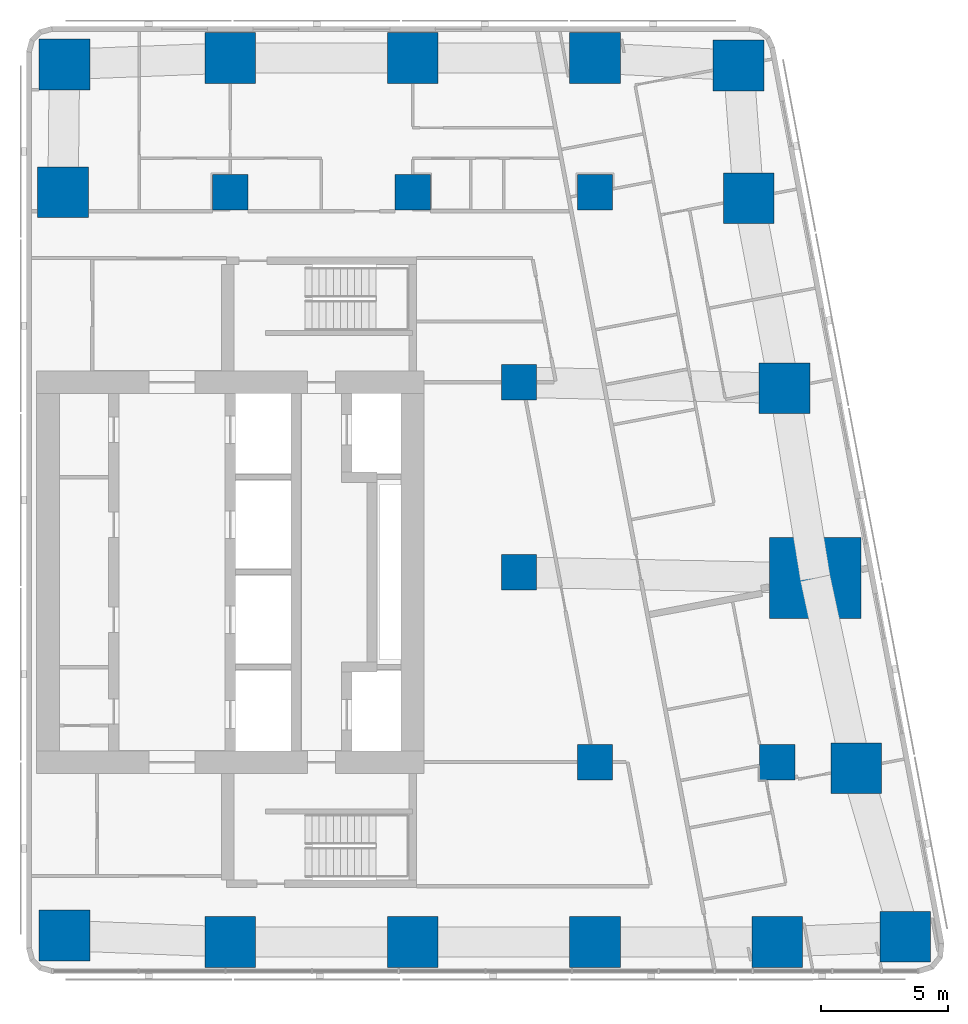
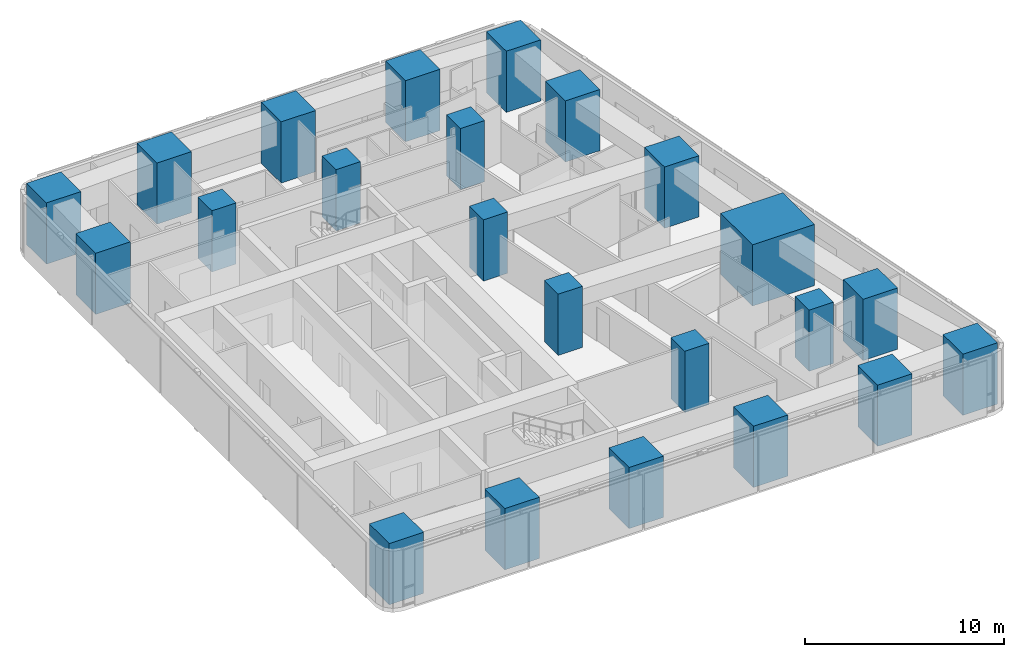
# One storey, part 1 of 10: 23 columns.
"""IFC4 building model written with IfcOpenShell, lengths in metres."""

import ifcopenshell
import ifcopenshell.guid

model = None  # the IFC model being written
_history = None  # IfcOwnerHistory: only IFC2X3 demands one
_inside = {}  # id of a spatial element -> (the spatial element, [elements in it])
_under = {}  # id of a project, library or spatial element -> (it, [spatial elements below it])
_declared = {}  # id of a project -> (the project, [libraries it declares])
_typed = {}  # id of a type object -> (the type object, [elements of that type])
_made_of = {}  # id of a material, layer set ... -> (it, [elements and type objects made of it])


def new_model(schema):
    """Start an empty IFC model of exactly this schema.

    Asked for "IFC4X3", IfcOpenShell would pick the latest addendum, in which some entities
    have other attributes; the version numbers below select the first issue.
    IFC2X3 requires an IfcOwnerHistory on every rooted entity: one is made here for all.
    """
    global model, _history
    if schema == "IFC4X3":
        model = ifcopenshell.file(schema_version=(4, 3, 0, 0))
    else:
        model = ifcopenshell.file(schema=schema)
    _inside.clear()
    _under.clear()
    _declared.clear()
    _typed.clear()
    _made_of.clear()
    _history = None
    if model.schema == "IFC2X3":
        org = make("IfcOrganization", Name="unknown")
        user = make(
            "IfcPersonAndOrganization",
            ThePerson=make("IfcPerson", FamilyName="unknown"),
            TheOrganization=org,
        )
        app = make(
            "IfcApplication",
            ApplicationDeveloper=org,
            Version="unknown",
            ApplicationFullName="unknown",
            ApplicationIdentifier="unknown",
        )
        _history = make(
            "IfcOwnerHistory",
            OwningUser=user,
            OwningApplication=app,
            ChangeAction="ADDED",
            CreationDate=0,
        )
    return model


def make(cls, **values):
    """One entity of the class cls with the attributes given. An attribute that is None is left unset."""
    return model.create_entity(
        cls, **{name: value for name, value in values.items() if value is not None}
    )


def rooted(cls, **values):
    """An entity with a GlobalId (a new one), such as an element, a storey or a relation."""
    return make(cls, GlobalId=ifcopenshell.guid.new(), OwnerHistory=_history, **values)


def si_unit(unit_type, name, prefix=None):
    """IfcSIUnit, for example si_unit("LENGTHUNIT", "METRE", prefix="MILLI")."""
    return make("IfcSIUnit", UnitType=unit_type, Prefix=prefix, Name=name)


def assignment(units):
    """IfcUnitAssignment: the units of a project."""
    return None if units is None else make("IfcUnitAssignment", Units=units)


def point(xyz):
    """IfcCartesianPoint."""
    return None if xyz is None else make("IfcCartesianPoint", Coordinates=xyz)


def direction(xyz):
    """IfcDirection."""
    return None if xyz is None else make("IfcDirection", DirectionRatios=xyz)


def frame(location, z_axis=None, x_axis=None):
    """IfcAxis2Placement3D, a coordinate frame: its origin and axes. An axis left out is left unset."""
    return make(
        "IfcAxis2Placement3D",
        Location=point(location),
        Axis=direction(z_axis),
        RefDirection=direction(x_axis),
    )


def frame_2d(location, x_axis=None):
    """IfcAxis2Placement2D, a coordinate frame in the plane: its origin and x axis."""
    return make(
        "IfcAxis2Placement2D", Location=point(location), RefDirection=direction(x_axis)
    )


def origin():
    """The frame at (0, 0, 0) with its axes left unset."""
    return frame((0.0, 0.0, 0.0))


def origin_2d():
    """The frame at (0, 0) in the plane with its x axis left unset."""
    return frame_2d((0.0, 0.0))


def place(relative_to, where):
    """IfcLocalPlacement: puts the frame where relative to a parent placement (None: the world)."""
    return make(
        "IfcLocalPlacement", PlacementRelTo=relative_to, RelativePlacement=where
    )


def context(
    kind, dimensions, precision=None, world=None, true_north=None, identifier=None
):
    """IfcGeometricRepresentationContext, for example the 3D "Model" context."""
    return make(
        "IfcGeometricRepresentationContext",
        ContextIdentifier=identifier,
        ContextType=kind,
        CoordinateSpaceDimension=dimensions,
        Precision=precision,
        WorldCoordinateSystem=world,
        TrueNorth=true_north,
    )


def subcontext(parent, identifier, kind, view, scale=None):
    """IfcGeometricRepresentationSubContext, for example "Body" below "Model"."""
    return make(
        "IfcGeometricRepresentationSubContext",
        ContextIdentifier=identifier,
        ContextType=kind,
        ParentContext=parent,
        TargetScale=scale,
        TargetView=view,
    )


def project(units=None, contexts=None):
    """IfcProject with its units and contexts."""
    return rooted(
        "IfcProject",
        Name="project",
        RepresentationContexts=contexts,
        UnitsInContext=assignment(units),
    )


def spatial(cls, under=None, at=None, **own):
    """A site, building, storey or space (cls), placed at a placement, below another one or the project."""
    s = rooted(cls, ObjectPlacement=at, **own)
    if under is not None:
        _under.setdefault(under.id(), (under, []))[1].append(s)
    return s


def profile(cls, at=None, kind="AREA", **sizes):
    """A parametric profile (cls). Its sizes go by their IFC names, for example OverallWidth=200.0."""
    return make(cls, ProfileType=kind, Position=at, **sizes)


def rectangle(**sizes):
    """IfcRectangleProfileDef."""
    return profile("IfcRectangleProfileDef", **sizes)


def extrude(swept, where, along, depth):
    """IfcExtrudedAreaSolid: the profile swept, set in the frame where, extruded along a direction by depth."""
    return make(
        "IfcExtrudedAreaSolid",
        SweptArea=swept,
        Position=where,
        ExtrudedDirection=direction(along),
        Depth=depth,
    )


def shape(context_of_items, identifier, shape_type, items):
    """IfcShapeRepresentation: the items that make up one representation, for example the "Body"."""
    return make(
        "IfcShapeRepresentation",
        ContextOfItems=context_of_items,
        RepresentationIdentifier=identifier,
        RepresentationType=shape_type,
        Items=items,
    )


def material(Name=None, Category=None):
    """IfcMaterial."""
    return make("IfcMaterial", Name=Name, Category=Category)


def material_profile(
    of_material, cross_section, Name=None, Category=None, Priority=None
):
    """IfcMaterialProfile: a cross section and its material."""
    return make(
        "IfcMaterialProfile",
        Name=Name,
        Material=of_material,
        Profile=cross_section,
        Priority=Priority,
        Category=Category,
    )


def profile_set(profiles, Name=None, composite=None):
    """IfcMaterialProfileSet."""
    return make(
        "IfcMaterialProfileSet",
        Name=Name,
        MaterialProfiles=profiles,
        CompositeProfile=composite,
    )


def made_of(thing, what):
    """Note that an element or type object is made of a material, layer set ...; save() writes the relation."""
    if what is not None:
        _made_of.setdefault(what.id(), (what, []))[1].append(thing)
    return thing


def type_object(cls, material=None, **own):
    """A type object (cls), such as IfcWallType, which elements share."""
    return made_of(rooted(cls, **own), material)


def element(
    cls,
    number,
    at=None,
    inside=None,
    cuts=None,
    type_object=None,
    material=None,
    context=None,
    identifier="Body",
    shape_type=None,
    held_by="IfcProductDefinitionShape",
    body=None,
    shapes=None,
    **own,
):
    """One element of the class cls, such as IfcWall. Its Tag is "e" and its number.

    at: its placement. inside: the storey or other place that contains it. cuts: it is an
    opening in that element (IfcRelVoidsElement). A single representation is given by context,
    identifier, shape_type and body (its items); several are given by shapes. held_by: the class
    of the entity that holds the representations. save() writes the other relations.
    """
    e = rooted(cls, Tag="e%d" % number, ObjectPlacement=at, **own)
    if body is not None:
        shapes = [shape(context, identifier, shape_type, body)]
    if shapes is not None:
        e.Representation = make(held_by, Representations=shapes)
    if inside is not None:
        _inside.setdefault(inside.id(), (inside, []))[1].append(e)
    if cuts is not None:
        rooted(
            "IfcRelVoidsElement", RelatingBuildingElement=cuts, RelatedOpeningElement=e
        )
    if type_object is not None:
        _typed.setdefault(type_object.id(), (type_object, []))[1].append(e)
    return made_of(e, material)


def aggregate(whole, parts):
    """IfcRelAggregates: a whole, such as a stair, and the parts it consists of."""
    return rooted("IfcRelAggregates", RelatingObject=whole, RelatedObjects=parts)


def save(model, path):
    """Write the relations noted so far, then the file.

    IfcRelAggregates (storeys below a building ...), IfcRelContainedInSpatialStructure (elements
    in a storey), IfcRelDefinesByType, IfcRelAssociatesMaterial and IfcRelDeclares: one each for
    every whole, place, type object, material and project.
    """
    for whole, parts in _under.values():
        aggregate(whole, parts)
    for where, things in _inside.values():
        rooted(
            "IfcRelContainedInSpatialStructure",
            RelatedElements=things,
            RelatingStructure=where,
        )
    for kind, things in _typed.values():
        rooted("IfcRelDefinesByType", RelatedObjects=things, RelatingType=kind)
    for what, things in _made_of.values():
        rooted("IfcRelAssociatesMaterial", RelatedObjects=things, RelatingMaterial=what)
    for by, libraries in _declared.values():
        rooted("IfcRelDeclares", RelatingContext=by, RelatedDefinitions=libraries)
    model.write(path)


model = new_model("IFC4")

# Units and contexts
model_context = context("Model", 3, precision=1e-05, world=origin(), true_north=direction((0.0, 1.0)))
body_context = subcontext(model_context, "Body", "Model", "MODEL_VIEW")
ifc_project = project(units=[si_unit("LENGTHUNIT", "METRE"), si_unit("AREAUNIT", "SQUARE_METRE"), si_unit("VOLUMEUNIT", "CUBIC_METRE"), si_unit("PLANEANGLEUNIT", "RADIAN"), si_unit("MASSUNIT", "GRAM", prefix="KILO")], contexts=[model_context])

# Site, building, storey
site_placement = place(None, origin())
site = spatial("IfcSite", under=ifc_project, at=site_placement, CompositionType="ELEMENT")
building_placement = place(site_placement, origin())
building = spatial("IfcBuilding", under=site, at=building_placement, Name="Sheger Commons Tower", CompositionType="ELEMENT")
storey_placement = place(building_placement, frame((0.0, 0.0, 285.35009765625)))
storey = spatial("IfcBuildingStorey", under=building, at=storey_placement, Name="L73", CompositionType="ELEMENT", Elevation=285.35009765625)

# Columns
ifc_material_1 = material(Name="Concrete C50/60", Category="concrete")
ifc_material_profile_1 = material_profile(ifc_material_1, rectangle(XDim=3.60009765625, YDim=3.199951171875, at=origin_2d()), Name="RC 3600x3200")
ifc_profile_set_1 = profile_set([ifc_material_profile_1], Name="Concrete C50/60")
column_type_1 = type_object("IfcColumnType", Name="COLUMN PIER RC 3600x3200", PredefinedType="COLUMN", material=ifc_profile_set_1)
column_placement = place(storey_placement, frame((44.697021484375, 22.262939453125, 0.0), z_axis=(0.0, 0.0, 1.0), x_axis=(1.0, 0.0, 0.0)))
element("IfcColumn", 1, at=column_placement, inside=storey, type_object=column_type_1, Name="Pier 7/D+E/D L73", PredefinedType="COLUMN", context=body_context, shape_type="SweptSolid", body=[
    extrude(rectangle(XDim=3.60009765625, YDim=3.199951171875, at=origin_2d()), origin(), (0.0, 0.0, 1.0), 3.75),
])
ifc_material_2 = material(Name="Concrete C50/60", Category="concrete")
ifc_material_profile_2 = material_profile(ifc_material_2, rectangle(XDim=1.39990234375, YDim=1.39990234375, at=origin_2d()), Name="RC 1400x1400")
ifc_profile_set_2 = profile_set([ifc_material_profile_2], Name="Concrete C50/60")
column_type_2 = type_object("IfcColumnType", Name="COLUMN RC 1400x1400", PredefinedType="COLUMN", material=ifc_profile_set_2)
for number, where, z_axis, x_axis, name in (
    (2, (36.0, 15.0, 0.0), (0.0, 0.0, 1.0), (1.0, 0.0, 0.0), "Column 6/C L73"),
    (3, (43.199951171875, 15.0, 0.0), (0.0, 0.0, 1.0), (1.0, 0.0, 0.0), "Column 7/C L73"),
    (4, (33.0, 22.5, 0.0), (0.0, 0.0, 1.0), (1.0, 0.0, 0.0), "Column 6-3000/D L73"),
    (5, (33.0, 30.0, 0.0), (0.0, 0.0, 1.0), (1.0, 0.0, 0.0), "Column 6-3000/E L73"),
    (6, (21.60009765625, 37.5, 0.0), (0.0, 0.0, 1.0), (1.0, 0.0, 0.0), "Column 4/F L73"),
    (7, (28.800048828125, 37.5, 0.0), (0.0, 0.0, 1.0), (1.0, 0.0, 0.0), "Column 5/F L73"),
    (8, (36.0, 37.5, 0.0), (0.0, 0.0, 1.0), (1.0, 0.0, 0.0), "Column 6/F L73"),
):
    element("IfcColumn", number, at=place(storey_placement, frame(where, z_axis=z_axis, x_axis=x_axis)), inside=storey, type_object=column_type_2, Name=name, PredefinedType="COLUMN", context=body_context, shape_type="SweptSolid", body=[
        extrude(rectangle(XDim=1.39990234375, YDim=1.39990234375, at=origin_2d()), origin(), (0.0, 0.0, 1.0), 3.75),
    ])
ifc_material_3 = material(Name="Concrete C50/60", Category="concrete")
ifc_material_profile_3 = material_profile(ifc_material_3, rectangle(XDim=2.0, YDim=2.0, at=origin_2d()), Name="RC 2000x2000")
ifc_profile_set_3 = profile_set([ifc_material_profile_3], Name="Concrete C50/60")
column_type_3 = type_object("IfcColumnType", Name="COLUMN RC 2000x2000", PredefinedType="COLUMN", material=ifc_profile_set_3)
for number, where, z_axis, x_axis, name in (
    (9, (15.053955078125, 8.154052734375, 0.0), (0.0, 0.0, 1.0), (1.0, 0.0, 0.0), "Column 3/B L73"),
    (10, (21.60009765625, 7.89990234375, 0.0), (0.0, 0.0, 1.0), (1.0, 0.0, 0.0), "Column 4/B L73"),
    (11, (28.800048828125, 7.89990234375, 0.0), (0.0, 0.0, 1.0), (1.0, 0.0, 0.0), "Column 5/B L73"),
    (12, (36.0, 7.89990234375, 0.0), (0.0, 0.0, 1.0), (1.0, 0.0, 0.0), "Column 6/B L73"),
    (13, (43.199951171875, 7.89990234375, 0.0), (0.0, 0.0, 1.0), (1.0, 0.0, 0.0), "Column 7/B L73"),
    (14, (48.251953125, 8.10693359375, 0.0), (0.0, 0.0, 1.0), (1.0, 0.0, 0.0), "Column E/B L73"),
    (15, (46.31396484375, 14.762939453125, 0.0), (0.0, 0.0, 1.0), (1.0, 0.0, 0.0), "Column E/C L73"),
    (16, (43.47998046875, 29.762939453125, 0.0), (0.0, 0.0, 1.0), (1.0, 0.0, 0.0), "Column E/E L73"),
    (17, (15.0, 37.5, 0.0), (0.0, 0.0, 1.0), (1.0, 0.0, 0.0), "Column 3/F L73"),
    (18, (42.06396484375, 37.262939453125, 0.0), (0.0, 0.0, 1.0), (1.0, 0.0, 0.0), "Column E/F L73"),
    (19, (15.053955078125, 42.5458984375, 0.0), (0.0, 0.0, 1.0), (1.0, 0.0, 0.0), "Column 3/G-1.8 L73"),
    (20, (21.60009765625, 42.800048828125, 0.0), (0.0, 0.0, 1.0), (1.0, 0.0, 0.0), "Column 4/G-1.8 L73"),
    (21, (28.800048828125, 42.800048828125, 0.0), (0.0, 0.0, 1.0), (1.0, 0.0, 0.0), "Column 5/G-1.8 L73"),
    (22, (36.0, 42.800048828125, 0.0), (0.0, 0.0, 1.0), (1.0, 0.0, 0.0), "Column 6/G-1.8 L73"),
    (23, (41.6669921875, 42.506103515625, 0.0), (0.0, 0.0, 1.0), (1.0, 0.0, 0.0), "Column E/G-1.8 L73"),
):
    element("IfcColumn", number, at=place(storey_placement, frame(where, z_axis=z_axis, x_axis=x_axis)), inside=storey, type_object=column_type_3, Name=name, PredefinedType="COLUMN", context=body_context, shape_type="SweptSolid", body=[
        extrude(rectangle(XDim=2.0, YDim=2.0, at=origin_2d()), origin(), (0.0, 0.0, 1.0), 3.75),
    ])

save(model, "model.ifc")
